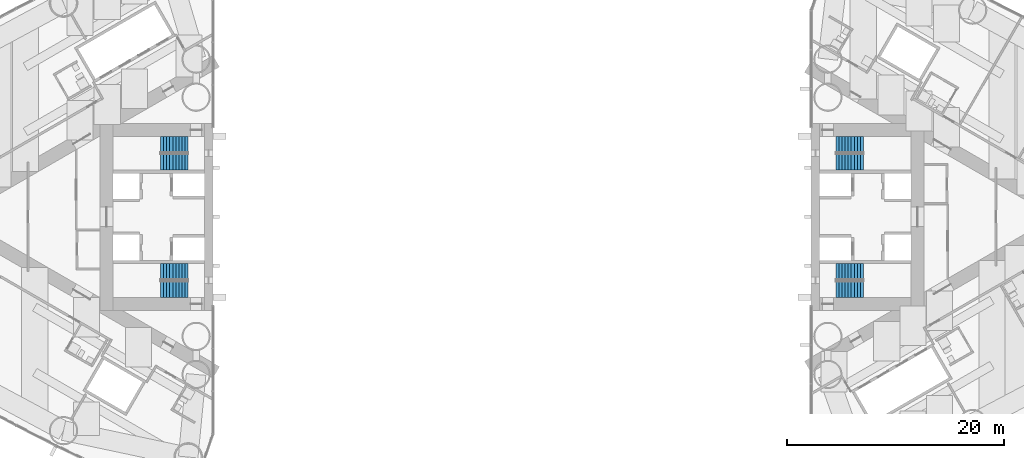
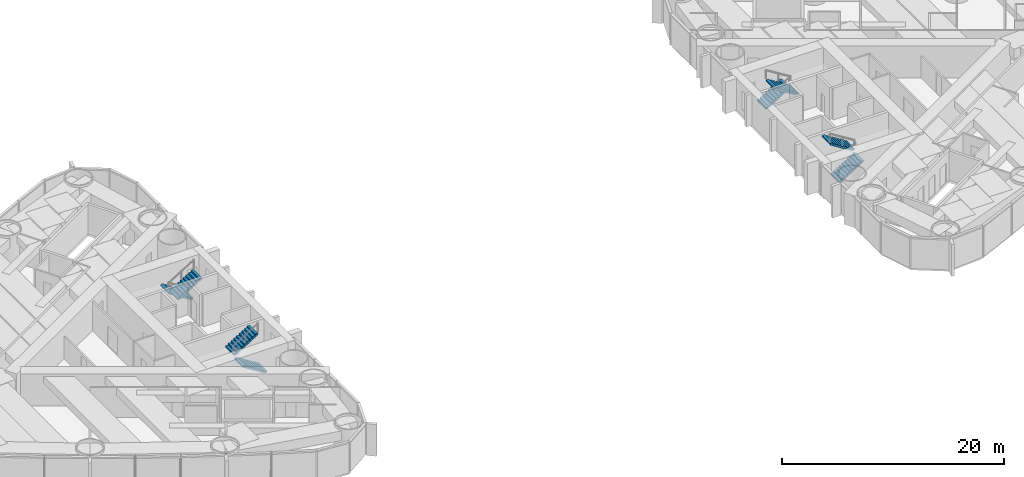
# One storey, part 17 of 19: 8 stair flights, 4 elements without a shape of their own.
"""IFC4 building model written with IfcOpenShell, lengths in metres."""

from ifc_helpers import new_model, si_unit, direction, frame, origin, place, context, subcontext, project, spatial, polyline, outline, extrude, material, type_object, element, aggregate, save


model = new_model("IFC4")

# Units and contexts
model_context = context("Model", 3, precision=1e-05, world=origin(), true_north=direction((0.0, 1.0)))
body_context = subcontext(model_context, "Body", "Model", "MODEL_VIEW")
ifc_project = project(units=[si_unit("LENGTHUNIT", "METRE"), si_unit("AREAUNIT", "SQUARE_METRE"), si_unit("VOLUMEUNIT", "CUBIC_METRE"), si_unit("PLANEANGLEUNIT", "RADIAN"), si_unit("MASSUNIT", "GRAM", prefix="KILO")], contexts=[model_context])

# Site, building, storey
site_placement = place(None, origin())
site = spatial("IfcSite", under=ifc_project, at=site_placement, CompositionType="ELEMENT")
building_placement = place(site_placement, origin())
building = spatial("IfcBuilding", under=site, at=building_placement, Name="Lancet Gate Hotel", CompositionType="ELEMENT")
storey_placement = place(building_placement, frame((0.0, 0.0, 132.60009765625)))
storey = spatial("IfcBuildingStorey", under=building, at=storey_placement, Name="L35", CompositionType="ELEMENT", Elevation=132.60009765625)

# Stair, stair flights
ifc_material_1 = material(Name="Exit stair 20 risers 1500")
stair_type = type_object("IfcStairType", Name="Exit stair 20 risers 1500", PredefinedType="HALF_TURN_STAIR", material=ifc_material_1)
stair_1_placement = place(storey_placement, origin())
stair_1 = element("IfcStair", 1, at=stair_1_placement, inside=storey, type_object=stair_type, Name="T1 stair 1 L35", PredefinedType="HALF_TURN_STAIR")
ifc_material_2 = material(Name="Stair flight 10 risers 175 rise 1500")
stair_flight_type = type_object("IfcStairFlightType", Name="Stair flight 10 risers 175 rise 1500", PredefinedType="STRAIGHT", material=ifc_material_2)
stair_flight_1_placement = place(storey_placement, frame((-29.800048828125, 6.64990234375, 0.0), z_axis=(0.0, 0.0, 1.0), x_axis=(-1.0, 0.0, 0.0)))
stair_flight_1 = element("IfcStairFlight", 2, at=stair_flight_1_placement, type_object=stair_flight_type, Name="ST1 flight 1", NumberOfRisers=10, NumberOfTreads=9, PredefinedType="STRAIGHT", RiserHeight=0.175, TreadLength=0.28, context=body_context, shape_type="SweptSolid", body=[
    extrude(outline(polyline([(0.0, 0.0), (0.0, 0.175048828125), (0.280029296875, 0.175048828125), (0.280029296875, 0.35009765625), (0.56005859375, 0.35009765625), (0.56005859375, 0.52490234375), (0.840087890625, 0.52490234375), (0.840087890625, 0.699951171875), (1.1201171875, 0.699951171875), (1.1201171875, 0.875), (1.39990234375, 0.875), (1.39990234375, 1.050048828125), (1.679931640625, 1.050048828125), (1.679931640625, 1.22509765625), (1.9599609375, 1.22509765625), (1.9599609375, 1.39990234375), (2.239990234375, 1.39990234375), (2.239990234375, 1.574951171875), (2.52001953125, 1.574951171875), (2.52001953125, 1.75), (2.52001953125, 1.398193359375), (0.28271484375, 0.0), (0.0, 0.0)])), frame((0.0, 0.75, 0.0), z_axis=(0.0, -1.0, 0.0), x_axis=(1.0, 0.0, 0.0)), (0.0, 0.0, 1.0), 1.5),
])
stair_flight_2_placement = place(storey_placement, frame((-32.320068359375, 5.050048828125, 1.75), z_axis=(0.0, 0.0, 1.0), x_axis=(1.0, 0.0, 0.0)))
stair_flight_2 = element("IfcStairFlight", 3, at=stair_flight_2_placement, type_object=stair_flight_type, Name="ST1 flight 2", NumberOfRisers=10, NumberOfTreads=9, PredefinedType="STRAIGHT", RiserHeight=0.175, TreadLength=0.28, context=body_context, shape_type="SweptSolid", body=[
    extrude(outline(polyline([(0.0, 0.0), (0.0, 0.175048828125), (0.280029296875, 0.175048828125), (0.280029296875, 0.35009765625), (0.56005859375, 0.35009765625), (0.56005859375, 0.52490234375), (0.840087890625, 0.52490234375), (0.840087890625, 0.699951171875), (1.1201171875, 0.699951171875), (1.1201171875, 0.875), (1.39990234375, 0.875), (1.39990234375, 1.050048828125), (1.679931640625, 1.050048828125), (1.679931640625, 1.22509765625), (1.9599609375, 1.22509765625), (1.9599609375, 1.39990234375), (2.239990234375, 1.39990234375), (2.239990234375, 1.574951171875), (2.52001953125, 1.574951171875), (2.52001953125, 1.75), (2.52001953125, 1.398193359375), (0.28271484375, 0.0), (0.0, 0.0)])), frame((0.0, 0.75, 0.0), z_axis=(0.0, -1.0, 0.0), x_axis=(1.0, 0.0, 0.0)), (0.0, 0.0, 1.0), 1.5),
])
aggregate(stair_1, [stair_flight_1, stair_flight_2])

stair_2_placement = place(storey_placement, origin())
stair_2 = element("IfcStair", 4, at=stair_2_placement, inside=storey, type_object=stair_type, Name="T1 stair 2 L35", PredefinedType="HALF_TURN_STAIR")
stair_flight_3_placement = place(storey_placement, frame((-29.800048828125, -6.64990234375, 0.0), z_axis=(0.0, 0.0, 1.0), x_axis=(-1.0, 0.0, 0.0)))
stair_flight_3 = element("IfcStairFlight", 5, at=stair_flight_3_placement, type_object=stair_flight_type, Name="ST2 flight 1", NumberOfRisers=10, NumberOfTreads=9, PredefinedType="STRAIGHT", RiserHeight=0.175, TreadLength=0.28, context=body_context, shape_type="SweptSolid", body=[
    extrude(outline(polyline([(0.0, 0.0), (0.0, 0.175048828125), (0.280029296875, 0.175048828125), (0.280029296875, 0.35009765625), (0.56005859375, 0.35009765625), (0.56005859375, 0.52490234375), (0.840087890625, 0.52490234375), (0.840087890625, 0.699951171875), (1.1201171875, 0.699951171875), (1.1201171875, 0.875), (1.39990234375, 0.875), (1.39990234375, 1.050048828125), (1.679931640625, 1.050048828125), (1.679931640625, 1.22509765625), (1.9599609375, 1.22509765625), (1.9599609375, 1.39990234375), (2.239990234375, 1.39990234375), (2.239990234375, 1.574951171875), (2.52001953125, 1.574951171875), (2.52001953125, 1.75), (2.52001953125, 1.398193359375), (0.28271484375, 0.0), (0.0, 0.0)])), frame((0.0, 0.75, 0.0), z_axis=(0.0, -1.0, 0.0), x_axis=(1.0, 0.0, 0.0)), (0.0, 0.0, 1.0), 1.5),
])
stair_flight_4_placement = place(storey_placement, frame((-32.320068359375, -5.050048828125, 1.75), z_axis=(0.0, 0.0, 1.0), x_axis=(1.0, 0.0, 0.0)))
stair_flight_4 = element("IfcStairFlight", 6, at=stair_flight_4_placement, type_object=stair_flight_type, Name="ST2 flight 2", NumberOfRisers=10, NumberOfTreads=9, PredefinedType="STRAIGHT", RiserHeight=0.175, TreadLength=0.28, context=body_context, shape_type="SweptSolid", body=[
    extrude(outline(polyline([(0.0, 0.0), (0.0, 0.175048828125), (0.280029296875, 0.175048828125), (0.280029296875, 0.35009765625), (0.56005859375, 0.35009765625), (0.56005859375, 0.52490234375), (0.840087890625, 0.52490234375), (0.840087890625, 0.699951171875), (1.1201171875, 0.699951171875), (1.1201171875, 0.875), (1.39990234375, 0.875), (1.39990234375, 1.050048828125), (1.679931640625, 1.050048828125), (1.679931640625, 1.22509765625), (1.9599609375, 1.22509765625), (1.9599609375, 1.39990234375), (2.239990234375, 1.39990234375), (2.239990234375, 1.574951171875), (2.52001953125, 1.574951171875), (2.52001953125, 1.75), (2.52001953125, 1.398193359375), (0.28271484375, 0.0), (0.0, 0.0)])), frame((0.0, 0.75, 0.0), z_axis=(0.0, -1.0, 0.0), x_axis=(1.0, 0.0, 0.0)), (0.0, 0.0, 1.0), 1.5),
])
aggregate(stair_2, [stair_flight_3, stair_flight_4])

stair_3_placement = place(storey_placement, origin())
stair_3 = element("IfcStair", 7, at=stair_3_placement, inside=storey, type_object=stair_type, Name="T2 stair 1 L35", PredefinedType="HALF_TURN_STAIR")
stair_flight_5_placement = place(storey_placement, frame((29.800048828125, -6.64990234375, 0.0), z_axis=(0.0, 0.0, 1.0), x_axis=(1.0, 0.0, 0.0)))
stair_flight_5 = element("IfcStairFlight", 8, at=stair_flight_5_placement, type_object=stair_flight_type, Name="ST3 flight 1", NumberOfRisers=10, NumberOfTreads=9, PredefinedType="STRAIGHT", RiserHeight=0.175, TreadLength=0.28, context=body_context, shape_type="SweptSolid", body=[
    extrude(outline(polyline([(0.0, 0.0), (0.0, 0.175048828125), (0.280029296875, 0.175048828125), (0.280029296875, 0.35009765625), (0.56005859375, 0.35009765625), (0.56005859375, 0.52490234375), (0.840087890625, 0.52490234375), (0.840087890625, 0.699951171875), (1.1201171875, 0.699951171875), (1.1201171875, 0.875), (1.39990234375, 0.875), (1.39990234375, 1.050048828125), (1.679931640625, 1.050048828125), (1.679931640625, 1.22509765625), (1.9599609375, 1.22509765625), (1.9599609375, 1.39990234375), (2.239990234375, 1.39990234375), (2.239990234375, 1.574951171875), (2.52001953125, 1.574951171875), (2.52001953125, 1.75), (2.52001953125, 1.398193359375), (0.28271484375, 0.0), (0.0, 0.0)])), frame((0.0, 0.75, 0.0), z_axis=(0.0, -1.0, 0.0), x_axis=(1.0, 0.0, 0.0)), (0.0, 0.0, 1.0), 1.5),
])
stair_flight_6_placement = place(storey_placement, frame((32.320068359375, -5.050048828125, 1.75), z_axis=(0.0, 0.0, 1.0), x_axis=(-1.0, 0.0, 0.0)))
stair_flight_6 = element("IfcStairFlight", 9, at=stair_flight_6_placement, type_object=stair_flight_type, Name="ST3 flight 2", NumberOfRisers=10, NumberOfTreads=9, PredefinedType="STRAIGHT", RiserHeight=0.175, TreadLength=0.28, context=body_context, shape_type="SweptSolid", body=[
    extrude(outline(polyline([(0.0, 0.0), (0.0, 0.175048828125), (0.280029296875, 0.175048828125), (0.280029296875, 0.35009765625), (0.56005859375, 0.35009765625), (0.56005859375, 0.52490234375), (0.840087890625, 0.52490234375), (0.840087890625, 0.699951171875), (1.1201171875, 0.699951171875), (1.1201171875, 0.875), (1.39990234375, 0.875), (1.39990234375, 1.050048828125), (1.679931640625, 1.050048828125), (1.679931640625, 1.22509765625), (1.9599609375, 1.22509765625), (1.9599609375, 1.39990234375), (2.239990234375, 1.39990234375), (2.239990234375, 1.574951171875), (2.52001953125, 1.574951171875), (2.52001953125, 1.75), (2.52001953125, 1.398193359375), (0.28271484375, 0.0), (0.0, 0.0)])), frame((0.0, 0.75, 0.0), z_axis=(0.0, -1.0, 0.0), x_axis=(1.0, 0.0, 0.0)), (0.0, 0.0, 1.0), 1.5),
])
aggregate(stair_3, [stair_flight_5, stair_flight_6])

stair_4_placement = place(storey_placement, origin())
stair_4 = element("IfcStair", 10, at=stair_4_placement, inside=storey, type_object=stair_type, Name="T2 stair 2 L35", PredefinedType="HALF_TURN_STAIR")
stair_flight_7_placement = place(storey_placement, frame((29.800048828125, 6.64990234375, 0.0), z_axis=(0.0, 0.0, 1.0), x_axis=(1.0, 0.0, 0.0)))
stair_flight_7 = element("IfcStairFlight", 11, at=stair_flight_7_placement, type_object=stair_flight_type, Name="ST4 flight 1", NumberOfRisers=10, NumberOfTreads=9, PredefinedType="STRAIGHT", RiserHeight=0.175, TreadLength=0.28, context=body_context, shape_type="SweptSolid", body=[
    extrude(outline(polyline([(0.0, 0.0), (0.0, 0.175048828125), (0.280029296875, 0.175048828125), (0.280029296875, 0.35009765625), (0.56005859375, 0.35009765625), (0.56005859375, 0.52490234375), (0.840087890625, 0.52490234375), (0.840087890625, 0.699951171875), (1.1201171875, 0.699951171875), (1.1201171875, 0.875), (1.39990234375, 0.875), (1.39990234375, 1.050048828125), (1.679931640625, 1.050048828125), (1.679931640625, 1.22509765625), (1.9599609375, 1.22509765625), (1.9599609375, 1.39990234375), (2.239990234375, 1.39990234375), (2.239990234375, 1.574951171875), (2.52001953125, 1.574951171875), (2.52001953125, 1.75), (2.52001953125, 1.398193359375), (0.28271484375, 0.0), (0.0, 0.0)])), frame((0.0, 0.75, 0.0), z_axis=(0.0, -1.0, 0.0), x_axis=(1.0, 0.0, 0.0)), (0.0, 0.0, 1.0), 1.5),
])
stair_flight_8_placement = place(storey_placement, frame((32.320068359375, 5.050048828125, 1.75), z_axis=(0.0, 0.0, 1.0), x_axis=(-1.0, 0.0, 0.0)))
stair_flight_8 = element("IfcStairFlight", 12, at=stair_flight_8_placement, type_object=stair_flight_type, Name="ST4 flight 2", NumberOfRisers=10, NumberOfTreads=9, PredefinedType="STRAIGHT", RiserHeight=0.175, TreadLength=0.28, context=body_context, shape_type="SweptSolid", body=[
    extrude(outline(polyline([(0.0, 0.0), (0.0, 0.175048828125), (0.280029296875, 0.175048828125), (0.280029296875, 0.35009765625), (0.56005859375, 0.35009765625), (0.56005859375, 0.52490234375), (0.840087890625, 0.52490234375), (0.840087890625, 0.699951171875), (1.1201171875, 0.699951171875), (1.1201171875, 0.875), (1.39990234375, 0.875), (1.39990234375, 1.050048828125), (1.679931640625, 1.050048828125), (1.679931640625, 1.22509765625), (1.9599609375, 1.22509765625), (1.9599609375, 1.39990234375), (2.239990234375, 1.39990234375), (2.239990234375, 1.574951171875), (2.52001953125, 1.574951171875), (2.52001953125, 1.75), (2.52001953125, 1.398193359375), (0.28271484375, 0.0), (0.0, 0.0)])), frame((0.0, 0.75, 0.0), z_axis=(0.0, -1.0, 0.0), x_axis=(1.0, 0.0, 0.0)), (0.0, 0.0, 1.0), 1.5),
])
aggregate(stair_4, [stair_flight_7, stair_flight_8])

save(model, "model.ifc")
